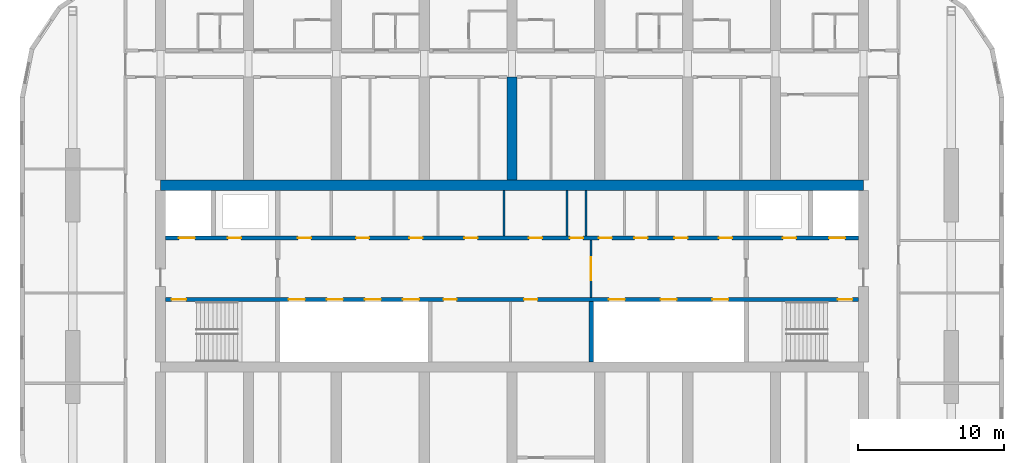
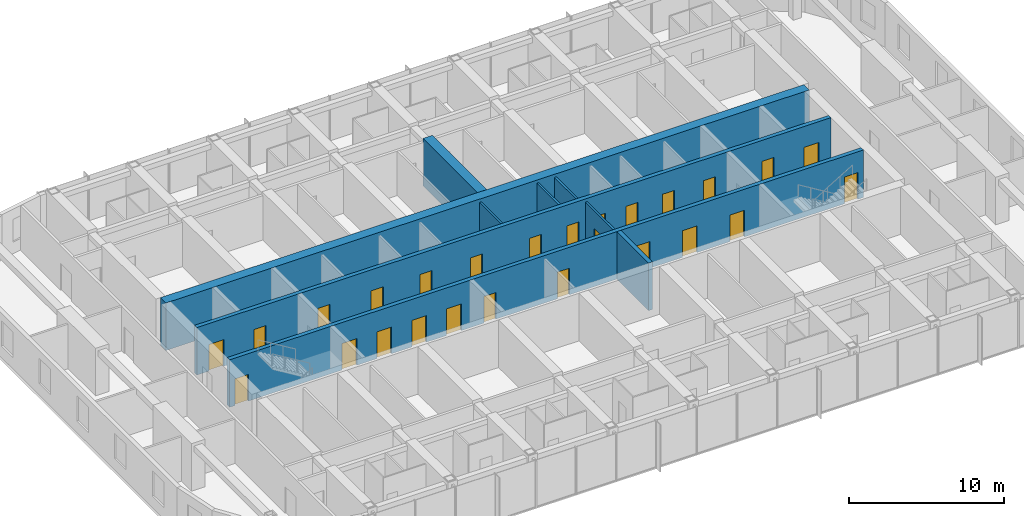
# One storey, part 14 of 23: 26 doors, 9 walls, 26 openings.
"""IFC4 building model written with IfcOpenShell, lengths in metres."""

from ifc_helpers import new_model, si_unit, direction, frame, frame_2d, origin, place, context, subcontext, project, spatial, rectangle, extrude, material, layer, layer_set, type_object, element, fill, save


model = new_model("IFC4")

# Units and contexts
model_context = context("Model", 3, precision=1e-05, world=origin(), true_north=direction((0.0, 1.0)))
body_context = subcontext(model_context, "Body", "Model", "MODEL_VIEW")
ifc_project = project(units=[si_unit("LENGTHUNIT", "METRE"), si_unit("AREAUNIT", "SQUARE_METRE"), si_unit("VOLUMEUNIT", "CUBIC_METRE"), si_unit("PLANEANGLEUNIT", "RADIAN"), si_unit("MASSUNIT", "GRAM", prefix="KILO")], contexts=[model_context])

# Site, building, storey
site_placement = place(None, origin())
site = spatial("IfcSite", under=ifc_project, at=site_placement, CompositionType="ELEMENT")
building_placement = place(site_placement, origin())
building = spatial("IfcBuilding", under=site, at=building_placement, Name="Orbita Commons", CompositionType="ELEMENT")
storey_placement = place(building_placement, frame((0.0, 0.0, 224.050048828125)))
storey = spatial("IfcBuildingStorey", under=building, at=storey_placement, Name="L55", CompositionType="ELEMENT", Elevation=224.050048828125)

# Wall, openings, doors
ifc_material_1 = material(Name="Concrete C50/60", Category="concrete")
ifc_layer_1 = layer(ifc_material_1, 0.300048828125)
ifc_layer_set_1 = layer_set([ifc_layer_1], Name="Concrete C50/60")
wall_type_1 = type_object("IfcWallType", Name="Core inner wall 300 C50/60", PredefinedType="SHEAR", material=ifc_layer_set_1)
wall_1_placement = place(storey_placement, frame((18.35009765625, 30.39990234375, 0.0), z_axis=(0.0, 0.0, 1.0), x_axis=(1.0, 0.0, 0.0)))
wall_1 = element("IfcWall", 1, at=wall_1_placement, inside=storey, type_object=wall_type_1, Name="Lobby wall south L55", PredefinedType="SHEAR", context=body_context, shape_type="SweptSolid", body=[
    extrude(rectangle(XDim=47.2998046875, YDim=0.300048828125, at=frame_2d((23.64990234375, 0.0))), origin(), (0.0, 0.0, 1.0), 3.75),
])
opening_1_placement = place(wall_1_placement, frame((0.39990234375, 0.0, 0.0)))
opening_1 = element("IfcOpeningElement", 2, at=opening_1_placement, cuts=wall_1, Name="Opening D02", PredefinedType="OPENING", context=body_context, shape_type="SweptSolid", body=[
    extrude(rectangle(XDim=1.0, YDim=2.10009765625, at=frame_2d((0.5, 1.050048828125))), frame((0.0, 0.159912109375, 0.0), z_axis=(0.0, -1.0, 0.0), x_axis=(1.0, 0.0, 0.0)), (0.0, 0.0, 1.0), 0.320068359375),
])
opening_2_placement = place(wall_1_placement, frame((45.89990234375, 0.0, 0.0)))
opening_2 = element("IfcOpeningElement", 3, at=opening_2_placement, cuts=wall_1, Name="Opening D02", PredefinedType="OPENING", context=body_context, shape_type="SweptSolid", body=[
    extrude(rectangle(XDim=1.0, YDim=2.10009765625, at=frame_2d((0.5, 1.050048828125))), frame((0.0, 0.159912109375, 0.0), z_axis=(0.0, -1.0, 0.0), x_axis=(1.0, 0.0, 0.0)), (0.0, 0.0, 1.0), 0.320068359375),
])
opening_3_placement = place(wall_1_placement, frame((8.39990234375, 0.0, 0.0)))
opening_3 = element("IfcOpeningElement", 4, at=opening_3_placement, cuts=wall_1, Name="Opening LD02", PredefinedType="OPENING", context=body_context, shape_type="SweptSolid", body=[
    extrude(rectangle(XDim=1.10009765625, YDim=2.10009765625, at=frame_2d((0.550048828125, 1.050048828125))), frame((0.0, 0.159912109375, 0.0), z_axis=(0.0, -1.0, 0.0), x_axis=(1.0, 0.0, 0.0)), (0.0, 0.0, 1.0), 0.320068359375),
])
opening_4_placement = place(wall_1_placement, frame((11.0, 0.0, 0.0)))
opening_4 = element("IfcOpeningElement", 5, at=opening_4_placement, cuts=wall_1, Name="Opening LD02", PredefinedType="OPENING", context=body_context, shape_type="SweptSolid", body=[
    extrude(rectangle(XDim=1.10009765625, YDim=2.10009765625, at=frame_2d((0.550048828125, 1.050048828125))), frame((0.0, 0.159912109375, 0.0), z_axis=(0.0, -1.0, 0.0), x_axis=(1.0, 0.0, 0.0)), (0.0, 0.0, 1.0), 0.320068359375),
])
opening_5_placement = place(wall_1_placement, frame((13.60009765625, 0.0, 0.0)))
opening_5 = element("IfcOpeningElement", 6, at=opening_5_placement, cuts=wall_1, Name="Opening LD02", PredefinedType="OPENING", context=body_context, shape_type="SweptSolid", body=[
    extrude(rectangle(XDim=1.10009765625, YDim=2.10009765625, at=frame_2d((0.550048828125, 1.050048828125))), frame((0.0, 0.159912109375, 0.0), z_axis=(0.0, -1.0, 0.0), x_axis=(1.0, 0.0, 0.0)), (0.0, 0.0, 1.0), 0.320068359375),
])
opening_6_placement = place(wall_1_placement, frame((16.199951171875, 0.0, 0.0)))
opening_6 = element("IfcOpeningElement", 7, at=opening_6_placement, cuts=wall_1, Name="Opening LD02", PredefinedType="OPENING", context=body_context, shape_type="SweptSolid", body=[
    extrude(rectangle(XDim=1.10009765625, YDim=2.10009765625, at=frame_2d((0.550048828125, 1.050048828125))), frame((0.0, 0.159912109375, 0.0), z_axis=(0.0, -1.0, 0.0), x_axis=(1.0, 0.0, 0.0)), (0.0, 0.0, 1.0), 0.320068359375),
])
opening_7_placement = place(wall_1_placement, frame((18.97509765625, 0.0, 0.0)))
opening_7 = element("IfcOpeningElement", 8, at=opening_7_placement, cuts=wall_1, Name="Opening D05", PredefinedType="OPENING", context=body_context, shape_type="SweptSolid", body=[
    extrude(rectangle(XDim=0.89990234375, YDim=2.10009765625, at=frame_2d((0.449951171875, 1.050048828125))), frame((0.0, 0.159912109375, 0.0), z_axis=(0.0, -1.0, 0.0), x_axis=(1.0, 0.0, 0.0)), (0.0, 0.0, 1.0), 0.320068359375),
])
opening_8_placement = place(wall_1_placement, frame((24.47509765625, 0.0, 0.0)))
opening_8 = element("IfcOpeningElement", 9, at=opening_8_placement, cuts=wall_1, Name="Opening D05", PredefinedType="OPENING", context=body_context, shape_type="SweptSolid", body=[
    extrude(rectangle(XDim=0.89990234375, YDim=2.10009765625, at=frame_2d((0.449951171875, 1.050048828125))), frame((0.0, 0.159912109375, 0.0), z_axis=(0.0, -1.0, 0.0), x_axis=(1.0, 0.0, 0.0)), (0.0, 0.0, 1.0), 0.320068359375),
])
opening_9_placement = place(wall_1_placement, frame((30.2666015625, 0.0, 0.0)))
opening_9 = element("IfcOpeningElement", 10, at=opening_9_placement, cuts=wall_1, Name="Opening LD02", PredefinedType="OPENING", context=body_context, shape_type="SweptSolid", body=[
    extrude(rectangle(XDim=1.10009765625, YDim=2.10009765625, at=frame_2d((0.550048828125, 1.050048828125))), frame((0.0, 0.159912109375, 0.0), z_axis=(0.0, -1.0, 0.0), x_axis=(1.0, 0.0, 0.0)), (0.0, 0.0, 1.0), 0.320068359375),
])
opening_10_placement = place(wall_1_placement, frame((33.800048828125, 0.0, 0.0)))
opening_10 = element("IfcOpeningElement", 11, at=opening_10_placement, cuts=wall_1, Name="Opening LD02", PredefinedType="OPENING", context=body_context, shape_type="SweptSolid", body=[
    extrude(rectangle(XDim=1.10009765625, YDim=2.10009765625, at=frame_2d((0.550048828125, 1.050048828125))), frame((0.0, 0.159912109375, 0.0), z_axis=(0.0, -1.0, 0.0), x_axis=(1.0, 0.0, 0.0)), (0.0, 0.0, 1.0), 0.320068359375),
])
opening_11_placement = place(wall_1_placement, frame((37.333251953125, 0.0, 0.0)))
opening_11 = element("IfcOpeningElement", 12, at=opening_11_placement, cuts=wall_1, Name="Opening LD02", PredefinedType="OPENING", context=body_context, shape_type="SweptSolid", body=[
    extrude(rectangle(XDim=1.10009765625, YDim=2.10009765625, at=frame_2d((0.550048828125, 1.050048828125))), frame((0.0, 0.159912109375, 0.0), z_axis=(0.0, -1.0, 0.0), x_axis=(1.0, 0.0, 0.0)), (0.0, 0.0, 1.0), 0.320068359375),
])
ifc_material_2 = material(Name="Steel-faced fire door leaf", Category="steel")
door_type_1 = type_object("IfcDoorType", Name="Fire door 90 min 1000x2100", OperationType="SINGLE_SWING_LEFT", PredefinedType="DOOR", material=ifc_material_2)
door_1_placement = place(opening_1_placement, origin())
door_1 = element("IfcDoor", 13, at=door_1_placement, inside=storey, type_object=door_type_1, Name="Stair S1 door", OperationType="SINGLE_SWING_LEFT", OverallHeight=2.10009765625, OverallWidth=1.0, PredefinedType="DOOR", context=body_context, shape_type="SweptSolid", body=[
    extrude(rectangle(XDim=1.0, YDim=2.10009765625, at=frame_2d((0.5, 1.050048828125))), frame((0.0, 0.02490234375, 0.0), z_axis=(0.0, -1.0, 0.0), x_axis=(1.0, 0.0, 0.0)), (0.0, 0.0, 1.0), 0.050048828125),
])
fill(opening_1, door_1)
door_2_placement = place(opening_2_placement, origin())
door_2 = element("IfcDoor", 14, at=door_2_placement, inside=storey, type_object=door_type_1, Name="Stair S2 door", OperationType="SINGLE_SWING_LEFT", OverallHeight=2.10009765625, OverallWidth=1.0, PredefinedType="DOOR", context=body_context, shape_type="SweptSolid", body=[
    extrude(rectangle(XDim=1.0, YDim=2.10009765625, at=frame_2d((0.5, 1.050048828125))), frame((0.0, 0.02490234375, 0.0), z_axis=(0.0, -1.0, 0.0), x_axis=(1.0, 0.0, 0.0)), (0.0, 0.0, 1.0), 0.050048828125),
])
fill(opening_2, door_2)
ifc_material_3 = material(Name="Steel-faced fire door leaf", Category="steel")
door_type_2 = type_object("IfcDoorType", Name="Lift landing door 1100x2100", OperationType="DOUBLE_DOOR_SLIDING", PredefinedType="DOOR", material=ifc_material_3)
door_3_placement = place(opening_3_placement, origin())
door_3 = element("IfcDoor", 15, at=door_3_placement, inside=storey, type_object=door_type_2, Name="Lift P41 landing door", OperationType="DOUBLE_DOOR_SLIDING", OverallHeight=2.10009765625, OverallWidth=1.10009765625, PredefinedType="DOOR", context=body_context, shape_type="SweptSolid", body=[
    extrude(rectangle(XDim=1.10009765625, YDim=2.10009765625, at=frame_2d((0.550048828125, 1.050048828125))), frame((0.0, 0.02490234375, 0.0), z_axis=(0.0, -1.0, 0.0), x_axis=(1.0, 0.0, 0.0)), (0.0, 0.0, 1.0), 0.050048828125),
])
fill(opening_3, door_3)
door_4_placement = place(opening_4_placement, origin())
door_4 = element("IfcDoor", 16, at=door_4_placement, inside=storey, type_object=door_type_2, Name="Lift P42 landing door", OperationType="DOUBLE_DOOR_SLIDING", OverallHeight=2.10009765625, OverallWidth=1.10009765625, PredefinedType="DOOR", context=body_context, shape_type="SweptSolid", body=[
    extrude(rectangle(XDim=1.10009765625, YDim=2.10009765625, at=frame_2d((0.550048828125, 1.050048828125))), frame((0.0, 0.02490234375, 0.0), z_axis=(0.0, -1.0, 0.0), x_axis=(1.0, 0.0, 0.0)), (0.0, 0.0, 1.0), 0.050048828125),
])
fill(opening_4, door_4)
door_5_placement = place(opening_5_placement, origin())
door_5 = element("IfcDoor", 17, at=door_5_placement, inside=storey, type_object=door_type_2, Name="Lift P43 landing door", OperationType="DOUBLE_DOOR_SLIDING", OverallHeight=2.10009765625, OverallWidth=1.10009765625, PredefinedType="DOOR", context=body_context, shape_type="SweptSolid", body=[
    extrude(rectangle(XDim=1.10009765625, YDim=2.10009765625, at=frame_2d((0.550048828125, 1.050048828125))), frame((0.0, 0.02490234375, 0.0), z_axis=(0.0, -1.0, 0.0), x_axis=(1.0, 0.0, 0.0)), (0.0, 0.0, 1.0), 0.050048828125),
])
fill(opening_5, door_5)
door_6_placement = place(opening_6_placement, origin())
door_6 = element("IfcDoor", 18, at=door_6_placement, inside=storey, type_object=door_type_2, Name="Lift P44 landing door", OperationType="DOUBLE_DOOR_SLIDING", OverallHeight=2.10009765625, OverallWidth=1.10009765625, PredefinedType="DOOR", context=body_context, shape_type="SweptSolid", body=[
    extrude(rectangle(XDim=1.10009765625, YDim=2.10009765625, at=frame_2d((0.550048828125, 1.050048828125))), frame((0.0, 0.02490234375, 0.0), z_axis=(0.0, -1.0, 0.0), x_axis=(1.0, 0.0, 0.0)), (0.0, 0.0, 1.0), 0.050048828125),
])
fill(opening_6, door_6)
door_7_placement = place(opening_9_placement, origin())
door_7 = element("IfcDoor", 19, at=door_7_placement, inside=storey, type_object=door_type_2, Name="Lift SV1 landing door", OperationType="DOUBLE_DOOR_SLIDING", OverallHeight=2.10009765625, OverallWidth=1.10009765625, PredefinedType="DOOR", context=body_context, shape_type="SweptSolid", body=[
    extrude(rectangle(XDim=1.10009765625, YDim=2.10009765625, at=frame_2d((0.550048828125, 1.050048828125))), frame((0.0, 0.02490234375, 0.0), z_axis=(0.0, -1.0, 0.0), x_axis=(1.0, 0.0, 0.0)), (0.0, 0.0, 1.0), 0.050048828125),
])
fill(opening_9, door_7)
door_8_placement = place(opening_10_placement, origin())
door_8 = element("IfcDoor", 20, at=door_8_placement, inside=storey, type_object=door_type_2, Name="Lift SV2 landing door", OperationType="DOUBLE_DOOR_SLIDING", OverallHeight=2.10009765625, OverallWidth=1.10009765625, PredefinedType="DOOR", context=body_context, shape_type="SweptSolid", body=[
    extrude(rectangle(XDim=1.10009765625, YDim=2.10009765625, at=frame_2d((0.550048828125, 1.050048828125))), frame((0.0, 0.02490234375, 0.0), z_axis=(0.0, -1.0, 0.0), x_axis=(1.0, 0.0, 0.0)), (0.0, 0.0, 1.0), 0.050048828125),
])
fill(opening_10, door_8)
door_9_placement = place(opening_11_placement, origin())
door_9 = element("IfcDoor", 21, at=door_9_placement, inside=storey, type_object=door_type_2, Name="Lift SV3 landing door", OperationType="DOUBLE_DOOR_SLIDING", OverallHeight=2.10009765625, OverallWidth=1.10009765625, PredefinedType="DOOR", context=body_context, shape_type="SweptSolid", body=[
    extrude(rectangle(XDim=1.10009765625, YDim=2.10009765625, at=frame_2d((0.550048828125, 1.050048828125))), frame((0.0, 0.02490234375, 0.0), z_axis=(0.0, -1.0, 0.0), x_axis=(1.0, 0.0, 0.0)), (0.0, 0.0, 1.0), 0.050048828125),
])
fill(opening_11, door_9)
ifc_material_4 = material(Name="Steel-faced fire door leaf", Category="steel")
door_type_3 = type_object("IfcDoorType", Name="Service door 20 min 900x2100", OperationType="SINGLE_SWING_LEFT", PredefinedType="DOOR", material=ifc_material_4)
door_10_placement = place(opening_7_placement, origin())
door_10 = element("IfcDoor", 22, at=door_10_placement, inside=storey, type_object=door_type_3, Name="Telecoms room door", OperationType="SINGLE_SWING_LEFT", OverallHeight=2.10009765625, OverallWidth=0.89990234375, PredefinedType="DOOR", context=body_context, shape_type="SweptSolid", body=[
    extrude(rectangle(XDim=0.89990234375, YDim=2.10009765625, at=frame_2d((0.449951171875, 1.050048828125))), frame((0.0, 0.02490234375, 0.0), z_axis=(0.0, -1.0, 0.0), x_axis=(1.0, 0.0, 0.0)), (0.0, 0.0, 1.0), 0.050048828125),
])
fill(opening_7, door_10)
door_11_placement = place(opening_8_placement, origin())
door_11 = element("IfcDoor", 23, at=door_11_placement, inside=storey, type_object=door_type_3, Name="Mail room door", OperationType="SINGLE_SWING_LEFT", OverallHeight=2.10009765625, OverallWidth=0.89990234375, PredefinedType="DOOR", context=body_context, shape_type="SweptSolid", body=[
    extrude(rectangle(XDim=0.89990234375, YDim=2.10009765625, at=frame_2d((0.449951171875, 1.050048828125))), frame((0.0, 0.02490234375, 0.0), z_axis=(0.0, -1.0, 0.0), x_axis=(1.0, 0.0, 0.0)), (0.0, 0.0, 1.0), 0.050048828125),
])
fill(opening_8, door_11)

wall_2_placement = place(storey_placement, frame((18.35009765625, 34.60009765625, 0.0), z_axis=(0.0, 0.0, 1.0), x_axis=(1.0, 0.0, 0.0)))
wall_2 = element("IfcWall", 24, at=wall_2_placement, inside=storey, type_object=wall_type_1, Name="Lobby wall north L55", PredefinedType="SHEAR", context=body_context, shape_type="SweptSolid", body=[
    extrude(rectangle(XDim=47.2998046875, YDim=0.300048828125, at=frame_2d((23.64990234375, 0.0))), origin(), (0.0, 0.0, 1.0), 3.75),
])
opening_12_placement = place(wall_2_placement, frame((0.89990234375, 0.0, 0.0)))
opening_12 = element("IfcOpeningElement", 25, at=opening_12_placement, cuts=wall_2, Name="Opening LD01", PredefinedType="OPENING", context=body_context, shape_type="SweptSolid", body=[
    extrude(rectangle(XDim=1.10009765625, YDim=2.10009765625, at=frame_2d((0.550048828125, 1.050048828125))), frame((0.0, 0.159912109375, 0.0), z_axis=(0.0, -1.0, 0.0), x_axis=(1.0, 0.0, 0.0)), (0.0, 0.0, 1.0), 0.320068359375),
])
opening_13_placement = place(wall_2_placement, frame((45.300048828125, 0.0, 0.0)))
opening_13 = element("IfcOpeningElement", 26, at=opening_13_placement, cuts=wall_2, Name="Opening LD01", PredefinedType="OPENING", context=body_context, shape_type="SweptSolid", body=[
    extrude(rectangle(XDim=1.10009765625, YDim=2.10009765625, at=frame_2d((0.550048828125, 1.050048828125))), frame((0.0, 0.159912109375, 0.0), z_axis=(0.0, -1.0, 0.0), x_axis=(1.0, 0.0, 0.0)), (0.0, 0.0, 1.0), 0.320068359375),
])
opening_14_placement = place(wall_2_placement, frame((4.25, 0.0, 0.0)))
opening_14 = element("IfcOpeningElement", 27, at=opening_14_placement, cuts=wall_2, Name="Opening D03", PredefinedType="OPENING", context=body_context, shape_type="SweptSolid", body=[
    extrude(rectangle(XDim=0.89990234375, YDim=2.10009765625, at=frame_2d((0.449951171875, 1.050048828125))), frame((0.0, 0.159912109375, 0.0), z_axis=(0.0, -1.0, 0.0), x_axis=(1.0, 0.0, 0.0)), (0.0, 0.0, 1.0), 0.320068359375),
])
opening_15_placement = place(wall_2_placement, frame((42.14990234375, 0.0, 0.0)))
opening_15 = element("IfcOpeningElement", 28, at=opening_15_placement, cuts=wall_2, Name="Opening D03", PredefinedType="OPENING", context=body_context, shape_type="SweptSolid", body=[
    extrude(rectangle(XDim=0.89990234375, YDim=2.10009765625, at=frame_2d((0.449951171875, 1.050048828125))), frame((0.0, 0.159912109375, 0.0), z_axis=(0.0, -1.0, 0.0), x_axis=(1.0, 0.0, 0.0)), (0.0, 0.0, 1.0), 0.320068359375),
])
opening_16_placement = place(wall_2_placement, frame((9.025390625, 0.0, 0.0)))
opening_16 = element("IfcOpeningElement", 29, at=opening_16_placement, cuts=wall_2, Name="Opening D03", PredefinedType="OPENING", context=body_context, shape_type="SweptSolid", body=[
    extrude(rectangle(XDim=0.89990234375, YDim=2.10009765625, at=frame_2d((0.449951171875, 1.050048828125))), frame((0.0, 0.159912109375, 0.0), z_axis=(0.0, -1.0, 0.0), x_axis=(1.0, 0.0, 0.0)), (0.0, 0.0, 1.0), 0.320068359375),
])
opening_17_placement = place(wall_2_placement, frame((12.998779296875, 0.0, 0.0)))
opening_17 = element("IfcOpeningElement", 30, at=opening_17_placement, cuts=wall_2, Name="Opening D03", PredefinedType="OPENING", context=body_context, shape_type="SweptSolid", body=[
    extrude(rectangle(XDim=0.89990234375, YDim=2.10009765625, at=frame_2d((0.449951171875, 1.050048828125))), frame((0.0, 0.159912109375, 0.0), z_axis=(0.0, -1.0, 0.0), x_axis=(1.0, 0.0, 0.0)), (0.0, 0.0, 1.0), 0.320068359375),
])
opening_18_placement = place(wall_2_placement, frame((16.646240234375, 0.0, 0.0)))
opening_18 = element("IfcOpeningElement", 31, at=opening_18_placement, cuts=wall_2, Name="Opening D03", PredefinedType="OPENING", context=body_context, shape_type="SweptSolid", body=[
    extrude(rectangle(XDim=0.89990234375, YDim=2.10009765625, at=frame_2d((0.449951171875, 1.050048828125))), frame((0.0, 0.159912109375, 0.0), z_axis=(0.0, -1.0, 0.0), x_axis=(1.0, 0.0, 0.0)), (0.0, 0.0, 1.0), 0.320068359375),
])
opening_19_placement = place(wall_2_placement, frame((20.40478515625, 0.0, 0.0)))
opening_19 = element("IfcOpeningElement", 32, at=opening_19_placement, cuts=wall_2, Name="Opening D03", PredefinedType="OPENING", context=body_context, shape_type="SweptSolid", body=[
    extrude(rectangle(XDim=0.89990234375, YDim=2.10009765625, at=frame_2d((0.449951171875, 1.050048828125))), frame((0.0, 0.159912109375, 0.0), z_axis=(0.0, -1.0, 0.0), x_axis=(1.0, 0.0, 0.0)), (0.0, 0.0, 1.0), 0.320068359375),
])
opening_20_placement = place(wall_2_placement, frame((24.810791015625, 0.0, 0.0)))
opening_20 = element("IfcOpeningElement", 33, at=opening_20_placement, cuts=wall_2, Name="Opening D03", PredefinedType="OPENING", context=body_context, shape_type="SweptSolid", body=[
    extrude(rectangle(XDim=0.89990234375, YDim=2.10009765625, at=frame_2d((0.449951171875, 1.050048828125))), frame((0.0, 0.159912109375, 0.0), z_axis=(0.0, -1.0, 0.0), x_axis=(1.0, 0.0, 0.0)), (0.0, 0.0, 1.0), 0.320068359375),
])
opening_21_placement = place(wall_2_placement, frame((27.6083984375, 0.0, 0.0)))
opening_21 = element("IfcOpeningElement", 34, at=opening_21_placement, cuts=wall_2, Name="Opening D03", PredefinedType="OPENING", context=body_context, shape_type="SweptSolid", body=[
    extrude(rectangle(XDim=0.89990234375, YDim=2.10009765625, at=frame_2d((0.449951171875, 1.050048828125))), frame((0.0, 0.159912109375, 0.0), z_axis=(0.0, -1.0, 0.0), x_axis=(1.0, 0.0, 0.0)), (0.0, 0.0, 1.0), 0.320068359375),
])
opening_22_placement = place(wall_2_placement, frame((29.575439453125, 0.0, 0.0)))
opening_22 = element("IfcOpeningElement", 35, at=opening_22_placement, cuts=wall_2, Name="Opening D05", PredefinedType="OPENING", context=body_context, shape_type="SweptSolid", body=[
    extrude(rectangle(XDim=0.89990234375, YDim=2.10009765625, at=frame_2d((0.449951171875, 1.050048828125))), frame((0.0, 0.159912109375, 0.0), z_axis=(0.0, -1.0, 0.0), x_axis=(1.0, 0.0, 0.0)), (0.0, 0.0, 1.0), 0.320068359375),
])
opening_23_placement = place(wall_2_placement, frame((32.0068359375, 0.0, 0.0)))
opening_23 = element("IfcOpeningElement", 36, at=opening_23_placement, cuts=wall_2, Name="Opening D05", PredefinedType="OPENING", context=body_context, shape_type="SweptSolid", body=[
    extrude(rectangle(XDim=0.89990234375, YDim=2.10009765625, at=frame_2d((0.449951171875, 1.050048828125))), frame((0.0, 0.159912109375, 0.0), z_axis=(0.0, -1.0, 0.0), x_axis=(1.0, 0.0, 0.0)), (0.0, 0.0, 1.0), 0.320068359375),
])
opening_24_placement = place(wall_2_placement, frame((34.7421875, 0.0, 0.0)))
opening_24 = element("IfcOpeningElement", 37, at=opening_24_placement, cuts=wall_2, Name="Opening D05", PredefinedType="OPENING", context=body_context, shape_type="SweptSolid", body=[
    extrude(rectangle(XDim=0.89990234375, YDim=2.10009765625, at=frame_2d((0.449951171875, 1.050048828125))), frame((0.0, 0.159912109375, 0.0), z_axis=(0.0, -1.0, 0.0), x_axis=(1.0, 0.0, 0.0)), (0.0, 0.0, 1.0), 0.320068359375),
])
opening_25_placement = place(wall_2_placement, frame((37.781494140625, 0.0, 0.0)))
opening_25 = element("IfcOpeningElement", 38, at=opening_25_placement, cuts=wall_2, Name="Opening D03", PredefinedType="OPENING", context=body_context, shape_type="SweptSolid", body=[
    extrude(rectangle(XDim=0.89990234375, YDim=2.10009765625, at=frame_2d((0.449951171875, 1.050048828125))), frame((0.0, 0.159912109375, 0.0), z_axis=(0.0, -1.0, 0.0), x_axis=(1.0, 0.0, 0.0)), (0.0, 0.0, 1.0), 0.320068359375),
])
ifc_material_5 = material(Name="Steel-faced fire door leaf", Category="steel")
door_type_4 = type_object("IfcDoorType", Name="Firefighting lift landing door 1100x2100", OperationType="DOUBLE_DOOR_SLIDING", PredefinedType="DOOR", material=ifc_material_5)
door_12_placement = place(opening_12_placement, origin())
door_12 = element("IfcDoor", 39, at=door_12_placement, inside=storey, type_object=door_type_4, Name="Firefighting lift FL1 landing door", OperationType="DOUBLE_DOOR_SLIDING", OverallHeight=2.10009765625, OverallWidth=1.10009765625, PredefinedType="DOOR", context=body_context, shape_type="SweptSolid", body=[
    extrude(rectangle(XDim=1.10009765625, YDim=2.10009765625, at=frame_2d((0.550048828125, 1.050048828125))), frame((0.0, 0.02490234375, 0.0), z_axis=(0.0, -1.0, 0.0), x_axis=(1.0, 0.0, 0.0)), (0.0, 0.0, 1.0), 0.050048828125),
])
fill(opening_12, door_12)
door_13_placement = place(opening_13_placement, origin())
door_13 = element("IfcDoor", 40, at=door_13_placement, inside=storey, type_object=door_type_4, Name="Firefighting lift FL2 landing door", OperationType="DOUBLE_DOOR_SLIDING", OverallHeight=2.10009765625, OverallWidth=1.10009765625, PredefinedType="DOOR", context=body_context, shape_type="SweptSolid", body=[
    extrude(rectangle(XDim=1.10009765625, YDim=2.10009765625, at=frame_2d((0.550048828125, 1.050048828125))), frame((0.0, 0.02490234375, 0.0), z_axis=(0.0, -1.0, 0.0), x_axis=(1.0, 0.0, 0.0)), (0.0, 0.0, 1.0), 0.050048828125),
])
fill(opening_13, door_13)
door_14_placement = place(opening_22_placement, origin())
door_14 = element("IfcDoor", 41, at=door_14_placement, inside=storey, type_object=door_type_3, Name="Accessible WC door", OperationType="SINGLE_SWING_LEFT", OverallHeight=2.10009765625, OverallWidth=0.89990234375, PredefinedType="DOOR", context=body_context, shape_type="SweptSolid", body=[
    extrude(rectangle(XDim=0.89990234375, YDim=2.10009765625, at=frame_2d((0.449951171875, 1.050048828125))), frame((0.0, 0.02490234375, 0.0), z_axis=(0.0, -1.0, 0.0), x_axis=(1.0, 0.0, 0.0)), (0.0, 0.0, 1.0), 0.050048828125),
])
fill(opening_22, door_14)
door_15_placement = place(opening_23_placement, origin())
door_15 = element("IfcDoor", 42, at=door_15_placement, inside=storey, type_object=door_type_3, Name="Staff WC door", OperationType="SINGLE_SWING_LEFT", OverallHeight=2.10009765625, OverallWidth=0.89990234375, PredefinedType="DOOR", context=body_context, shape_type="SweptSolid", body=[
    extrude(rectangle(XDim=0.89990234375, YDim=2.10009765625, at=frame_2d((0.449951171875, 1.050048828125))), frame((0.0, 0.02490234375, 0.0), z_axis=(0.0, -1.0, 0.0), x_axis=(1.0, 0.0, 0.0)), (0.0, 0.0, 1.0), 0.050048828125),
])
fill(opening_23, door_15)
door_16_placement = place(opening_24_placement, origin())
door_16 = element("IfcDoor", 43, at=door_16_placement, inside=storey, type_object=door_type_3, Name="Guest pantry door", OperationType="SINGLE_SWING_LEFT", OverallHeight=2.10009765625, OverallWidth=0.89990234375, PredefinedType="DOOR", context=body_context, shape_type="SweptSolid", body=[
    extrude(rectangle(XDim=0.89990234375, YDim=2.10009765625, at=frame_2d((0.449951171875, 1.050048828125))), frame((0.0, 0.02490234375, 0.0), z_axis=(0.0, -1.0, 0.0), x_axis=(1.0, 0.0, 0.0)), (0.0, 0.0, 1.0), 0.050048828125),
])
fill(opening_24, door_16)
ifc_material_6 = material(Name="Steel-faced fire door leaf", Category="steel")
door_type_5 = type_object("IfcDoorType", Name="Shaft access door 90 min 900x2100", OperationType="SINGLE_SWING_LEFT", PredefinedType="DOOR", material=ifc_material_6)
door_17_placement = place(opening_14_placement, origin())
door_17 = element("IfcDoor", 44, at=door_17_placement, inside=storey, type_object=door_type_5, Name="Riser door west", OperationType="SINGLE_SWING_LEFT", OverallHeight=2.10009765625, OverallWidth=0.89990234375, PredefinedType="DOOR", context=body_context, shape_type="SweptSolid", body=[
    extrude(rectangle(XDim=0.89990234375, YDim=2.10009765625, at=frame_2d((0.449951171875, 1.050048828125))), frame((0.0, 0.02490234375, 0.0), z_axis=(0.0, -1.0, 0.0), x_axis=(1.0, 0.0, 0.0)), (0.0, 0.0, 1.0), 0.050048828125),
])
fill(opening_14, door_17)
door_18_placement = place(opening_15_placement, origin())
door_18 = element("IfcDoor", 45, at=door_18_placement, inside=storey, type_object=door_type_5, Name="Riser door east", OperationType="SINGLE_SWING_LEFT", OverallHeight=2.10009765625, OverallWidth=0.89990234375, PredefinedType="DOOR", context=body_context, shape_type="SweptSolid", body=[
    extrude(rectangle(XDim=0.89990234375, YDim=2.10009765625, at=frame_2d((0.449951171875, 1.050048828125))), frame((0.0, 0.02490234375, 0.0), z_axis=(0.0, -1.0, 0.0), x_axis=(1.0, 0.0, 0.0)), (0.0, 0.0, 1.0), 0.050048828125),
])
fill(opening_15, door_18)
door_19_placement = place(opening_16_placement, origin())
door_19 = element("IfcDoor", 46, at=door_19_placement, inside=storey, type_object=door_type_5, Name="Cleaners store door", OperationType="SINGLE_SWING_LEFT", OverallHeight=2.10009765625, OverallWidth=0.89990234375, PredefinedType="DOOR", context=body_context, shape_type="SweptSolid", body=[
    extrude(rectangle(XDim=0.89990234375, YDim=2.10009765625, at=frame_2d((0.449951171875, 1.050048828125))), frame((0.0, 0.02490234375, 0.0), z_axis=(0.0, -1.0, 0.0), x_axis=(1.0, 0.0, 0.0)), (0.0, 0.0, 1.0), 0.050048828125),
])
fill(opening_16, door_19)
door_20_placement = place(opening_17_placement, origin())
door_20 = element("IfcDoor", 47, at=door_20_placement, inside=storey, type_object=door_type_5, Name="Refuse chute room door", OperationType="SINGLE_SWING_LEFT", OverallHeight=2.10009765625, OverallWidth=0.89990234375, PredefinedType="DOOR", context=body_context, shape_type="SweptSolid", body=[
    extrude(rectangle(XDim=0.89990234375, YDim=2.10009765625, at=frame_2d((0.449951171875, 1.050048828125))), frame((0.0, 0.02490234375, 0.0), z_axis=(0.0, -1.0, 0.0), x_axis=(1.0, 0.0, 0.0)), (0.0, 0.0, 1.0), 0.050048828125),
])
fill(opening_17, door_20)
door_21_placement = place(opening_18_placement, origin())
door_21 = element("IfcDoor", 48, at=door_21_placement, inside=storey, type_object=door_type_5, Name="Electrical riser room door", OperationType="SINGLE_SWING_LEFT", OverallHeight=2.10009765625, OverallWidth=0.89990234375, PredefinedType="DOOR", context=body_context, shape_type="SweptSolid", body=[
    extrude(rectangle(XDim=0.89990234375, YDim=2.10009765625, at=frame_2d((0.449951171875, 1.050048828125))), frame((0.0, 0.02490234375, 0.0), z_axis=(0.0, -1.0, 0.0), x_axis=(1.0, 0.0, 0.0)), (0.0, 0.0, 1.0), 0.050048828125),
])
fill(opening_18, door_21)
door_22_placement = place(opening_19_placement, origin())
door_22 = element("IfcDoor", 49, at=door_22_placement, inside=storey, type_object=door_type_5, Name="IT room door", OperationType="SINGLE_SWING_LEFT", OverallHeight=2.10009765625, OverallWidth=0.89990234375, PredefinedType="DOOR", context=body_context, shape_type="SweptSolid", body=[
    extrude(rectangle(XDim=0.89990234375, YDim=2.10009765625, at=frame_2d((0.449951171875, 1.050048828125))), frame((0.0, 0.02490234375, 0.0), z_axis=(0.0, -1.0, 0.0), x_axis=(1.0, 0.0, 0.0)), (0.0, 0.0, 1.0), 0.050048828125),
])
fill(opening_19, door_22)
door_23_placement = place(opening_20_placement, origin())
door_23 = element("IfcDoor", 50, at=door_23_placement, inside=storey, type_object=door_type_5, Name="Communications room door", OperationType="SINGLE_SWING_LEFT", OverallHeight=2.10009765625, OverallWidth=0.89990234375, PredefinedType="DOOR", context=body_context, shape_type="SweptSolid", body=[
    extrude(rectangle(XDim=0.89990234375, YDim=2.10009765625, at=frame_2d((0.449951171875, 1.050048828125))), frame((0.0, 0.02490234375, 0.0), z_axis=(0.0, -1.0, 0.0), x_axis=(1.0, 0.0, 0.0)), (0.0, 0.0, 1.0), 0.050048828125),
])
fill(opening_20, door_23)
door_24_placement = place(opening_21_placement, origin())
door_24 = element("IfcDoor", 51, at=door_24_placement, inside=storey, type_object=door_type_5, Name="Stair pressurisation duct door", OperationType="SINGLE_SWING_LEFT", OverallHeight=2.10009765625, OverallWidth=0.89990234375, PredefinedType="DOOR", context=body_context, shape_type="SweptSolid", body=[
    extrude(rectangle(XDim=0.89990234375, YDim=2.10009765625, at=frame_2d((0.449951171875, 1.050048828125))), frame((0.0, 0.02490234375, 0.0), z_axis=(0.0, -1.0, 0.0), x_axis=(1.0, 0.0, 0.0)), (0.0, 0.0, 1.0), 0.050048828125),
])
fill(opening_21, door_24)
door_25_placement = place(opening_25_placement, origin())
door_25 = element("IfcDoor", 52, at=door_25_placement, inside=storey, type_object=door_type_5, Name="Linen store door", OperationType="SINGLE_SWING_LEFT", OverallHeight=2.10009765625, OverallWidth=0.89990234375, PredefinedType="DOOR", context=body_context, shape_type="SweptSolid", body=[
    extrude(rectangle(XDim=0.89990234375, YDim=2.10009765625, at=frame_2d((0.449951171875, 1.050048828125))), frame((0.0, 0.02490234375, 0.0), z_axis=(0.0, -1.0, 0.0), x_axis=(1.0, 0.0, 0.0)), (0.0, 0.0, 1.0), 0.050048828125),
])
fill(opening_25, door_25)

# Wall
wall_3_placement = place(storey_placement, frame((47.39990234375, 26.14990234375, 0.0), z_axis=(0.0, 0.0, 1.0), x_axis=(0.0, 1.0, 0.0)))
element("IfcWall", 53, at=wall_3_placement, inside=storey, type_object=wall_type_1, Name="Hoistway division wall L55", PredefinedType="SHEAR", context=body_context, shape_type="SweptSolid", body=[
    extrude(rectangle(XDim=4.10009765625, YDim=0.300048828125, at=frame_2d((2.050048828125, 0.0))), origin(), (0.0, 0.0, 1.0), 3.75),
])

# Wall, opening, door
ifc_material_7 = material(Name="Concrete blockwork", Category="masonry")
ifc_layer_2 = layer(ifc_material_7, 0.14990234375)
ifc_layer_set_2 = layer_set([ifc_layer_2], Name="Concrete blockwork")
wall_type_2 = type_object("IfcWallType", Name="Core partition 150 blockwork", PredefinedType="SOLIDWALL", material=ifc_layer_set_2)
wall_4_placement = place(storey_placement, frame((47.39990234375, 30.550048828125, 0.0), z_axis=(0.0, 0.0, 1.0), x_axis=(0.0, 1.0, 0.0)))
wall_4 = element("IfcWall", 54, at=wall_4_placement, inside=storey, type_object=wall_type_2, Name="Core partition 150 blockwork L55", PredefinedType="SOLIDWALL", context=body_context, shape_type="SweptSolid", body=[
    extrude(rectangle(XDim=3.89990234375, YDim=0.14990234375, at=frame_2d((1.949951171875, 0.0))), origin(), (0.0, 0.0, 1.0), 3.5),
])
opening_26_placement = place(wall_4_placement, frame((1.14990234375, 0.0, 0.0)))
opening_26 = element("IfcOpeningElement", 55, at=opening_26_placement, cuts=wall_4, Name="Opening D10", PredefinedType="OPENING", context=body_context, shape_type="SweptSolid", body=[
    extrude(rectangle(XDim=1.60009765625, YDim=2.10009765625, at=frame_2d((0.800048828125, 1.050048828125))), frame((0.0, 0.0849609375, 0.0), z_axis=(0.0, -1.0, 0.0), x_axis=(1.0, 0.0, 0.0)), (0.0, 0.0, 1.0), 0.169921875),
])
ifc_material_8 = material(Name="Steel-faced fire door leaf", Category="steel")
door_type_6 = type_object("IfcDoorType", Name="Double corridor door 20 min 1600x2100", OperationType="DOUBLE_DOOR_SINGLE_SWING", PredefinedType="DOOR", material=ifc_material_8)
door_26_placement = place(opening_26_placement, origin())
door_26 = element("IfcDoor", 56, at=door_26_placement, inside=storey, type_object=door_type_6, Name="Lift lobby screen doors", OperationType="DOUBLE_DOOR_SINGLE_SWING", OverallHeight=2.10009765625, OverallWidth=1.60009765625, PredefinedType="DOOR", context=body_context, shape_type="SweptSolid", body=[
    extrude(rectangle(XDim=1.60009765625, YDim=2.10009765625, at=frame_2d((0.800048828125, 1.050048828125))), frame((0.0, 0.02490234375, 0.0), z_axis=(0.0, -1.0, 0.0), x_axis=(1.0, 0.0, 0.0)), (0.0, 0.0, 1.0), 0.050048828125),
])
fill(opening_26, door_26)

# Walls
for number, where, z_axis, x_axis, name in (
    (57, (41.463134765625, 34.75, 0.0), (0.0, 0.0, 1.0), (0.0, 1.0, 0.0), "Core partition 150 blockwork L55"),
    (58, (45.75830078125, 34.75, 0.0), (0.0, 0.0, 1.0), (0.0, 1.0, 0.0), "Core partition 150 blockwork L55"),
    (59, (47.058349609375, 34.75, 0.0), (0.0, 0.0, 1.0), (0.0, 1.0, 0.0), "Core partition 150 blockwork L55"),
):
    element("IfcWall", number, at=place(storey_placement, frame(where, z_axis=z_axis, x_axis=x_axis)), inside=storey, type_object=wall_type_2, Name=name, PredefinedType="SOLIDWALL", context=body_context, shape_type="SweptSolid", body=[
        extrude(rectangle(XDim=3.10009765625, YDim=0.14990234375, at=frame_2d((1.550048828125, 0.0))), origin(), (0.0, 0.0, 1.0), 3.5),
    ])
ifc_material_9 = material(Name="Concrete C50/60", Category="concrete")
ifc_layer_3 = layer(ifc_material_9, 0.699951171875)
ifc_layer_set_3 = layer_set([ifc_layer_3], Name="Concrete C50/60")
wall_type_3 = type_object("IfcWallType", Name="Core wall 700 C50/60", PredefinedType="SHEAR", material=ifc_layer_set_3)
wall_5_placement = place(storey_placement, frame((18.0, 38.199951171875, 0.0), z_axis=(0.0, 0.0, 1.0), x_axis=(1.0, 0.0, 0.0)))
element("IfcWall", 60, at=wall_5_placement, inside=storey, type_object=wall_type_3, Name="Core spine wall north L55", PredefinedType="SHEAR", context=body_context, shape_type="SweptSolid", body=[
    extrude(rectangle(XDim=48.0, YDim=0.699951171875, at=frame_2d((24.0, 0.0))), origin(), (0.0, 0.0, 1.0), 3.75),
])
ifc_material_10 = material(Name="Concrete C50/60", Category="concrete")
ifc_layer_4 = layer(ifc_material_10, 0.699951171875)
ifc_layer_set_4 = layer_set([ifc_layer_4], Name="Concrete C50/60")
wall_type_4 = type_object("IfcWallType", Name="Cross wall 700 C50/60", PredefinedType="SHEAR", material=ifc_layer_set_4)
wall_6_placement = place(storey_placement, frame((42.0, 38.550048828125, 0.0), z_axis=(0.0, 0.0, 1.0), x_axis=(0.0, 1.0, 0.0)))
element("IfcWall", 61, at=wall_6_placement, inside=storey, type_object=wall_type_4, Name="Cross wall 8 north inner L55", PredefinedType="SHEAR", context=body_context, shape_type="SweptSolid", body=[
    extrude(rectangle(XDim=7.050048828125, YDim=0.699951171875, at=frame_2d((3.52490234375, 0.0))), origin(), (0.0, 0.0, 1.0), 3.75),
])

save(model, "model.ifc")
